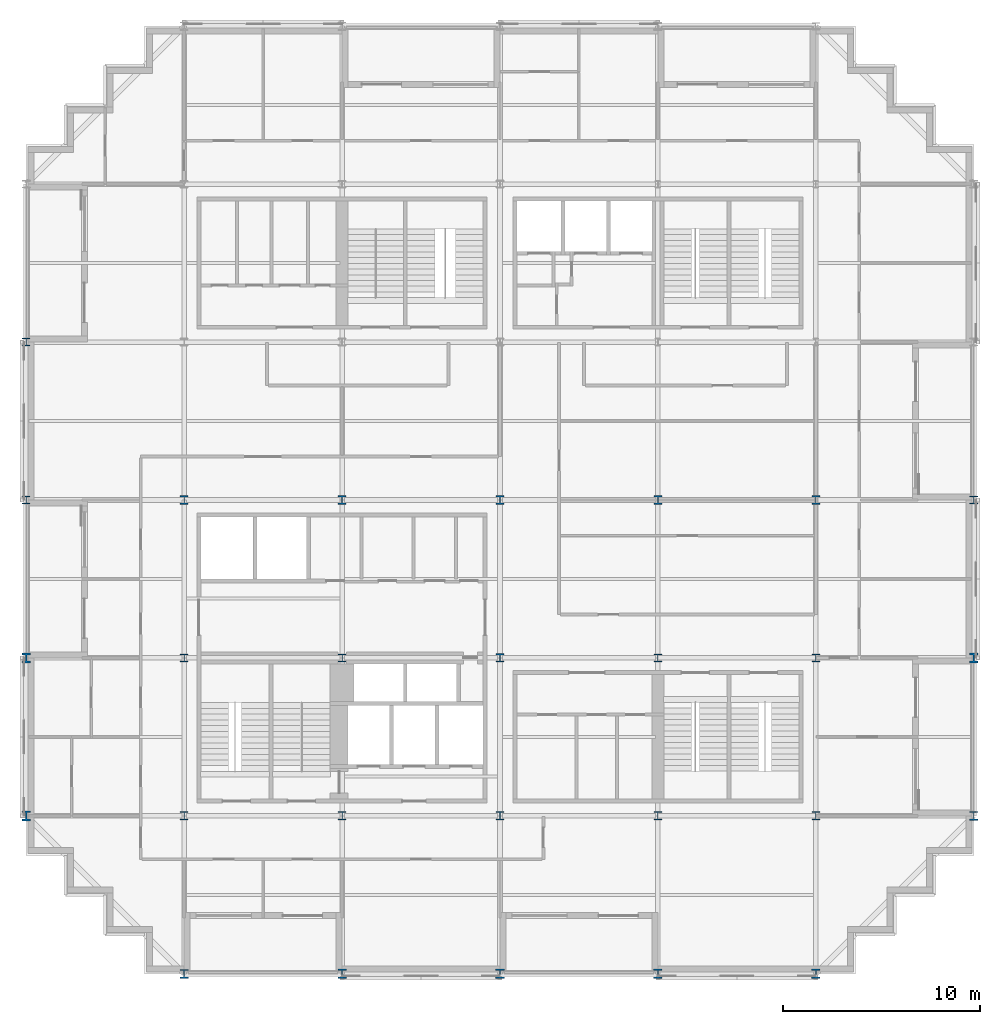
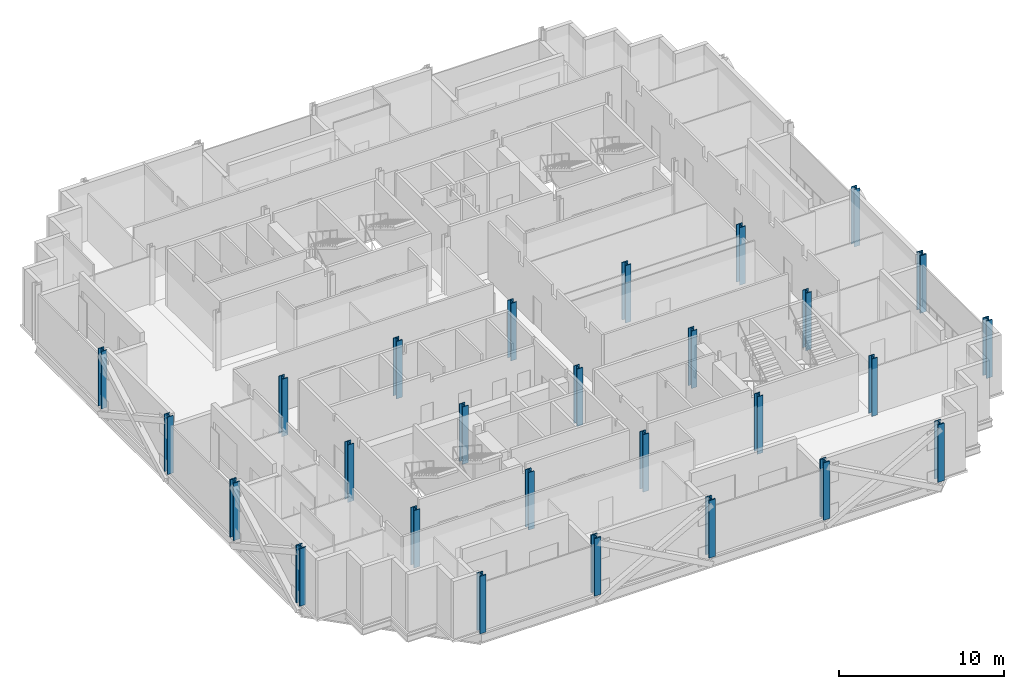
# One storey, part 1 of 14: 27 columns.
"""IFC4 building model written with IfcOpenShell, lengths in metres."""

import ifcopenshell
import ifcopenshell.guid

model = None  # the IFC model being written
_history = None  # IfcOwnerHistory: only IFC2X3 demands one
_inside = {}  # id of a spatial element -> (the spatial element, [elements in it])
_under = {}  # id of a project, library or spatial element -> (it, [spatial elements below it])
_declared = {}  # id of a project -> (the project, [libraries it declares])
_typed = {}  # id of a type object -> (the type object, [elements of that type])
_made_of = {}  # id of a material, layer set ... -> (it, [elements and type objects made of it])


def new_model(schema):
    """Start an empty IFC model of exactly this schema.

    Asked for "IFC4X3", IfcOpenShell would pick the latest addendum, in which some entities
    have other attributes; the version numbers below select the first issue.
    IFC2X3 requires an IfcOwnerHistory on every rooted entity: one is made here for all.
    """
    global model, _history
    if schema == "IFC4X3":
        model = ifcopenshell.file(schema_version=(4, 3, 0, 0))
    else:
        model = ifcopenshell.file(schema=schema)
    _inside.clear()
    _under.clear()
    _declared.clear()
    _typed.clear()
    _made_of.clear()
    _history = None
    if model.schema == "IFC2X3":
        org = make("IfcOrganization", Name="unknown")
        user = make(
            "IfcPersonAndOrganization",
            ThePerson=make("IfcPerson", FamilyName="unknown"),
            TheOrganization=org,
        )
        app = make(
            "IfcApplication",
            ApplicationDeveloper=org,
            Version="unknown",
            ApplicationFullName="unknown",
            ApplicationIdentifier="unknown",
        )
        _history = make(
            "IfcOwnerHistory",
            OwningUser=user,
            OwningApplication=app,
            ChangeAction="ADDED",
            CreationDate=0,
        )
    return model


def make(cls, **values):
    """One entity of the class cls with the attributes given. An attribute that is None is left unset."""
    return model.create_entity(
        cls, **{name: value for name, value in values.items() if value is not None}
    )


def rooted(cls, **values):
    """An entity with a GlobalId (a new one), such as an element, a storey or a relation."""
    return make(cls, GlobalId=ifcopenshell.guid.new(), OwnerHistory=_history, **values)


def si_unit(unit_type, name, prefix=None):
    """IfcSIUnit, for example si_unit("LENGTHUNIT", "METRE", prefix="MILLI")."""
    return make("IfcSIUnit", UnitType=unit_type, Prefix=prefix, Name=name)


def assignment(units):
    """IfcUnitAssignment: the units of a project."""
    return None if units is None else make("IfcUnitAssignment", Units=units)


def point(xyz):
    """IfcCartesianPoint."""
    return None if xyz is None else make("IfcCartesianPoint", Coordinates=xyz)


def direction(xyz):
    """IfcDirection."""
    return None if xyz is None else make("IfcDirection", DirectionRatios=xyz)


def frame(location, z_axis=None, x_axis=None):
    """IfcAxis2Placement3D, a coordinate frame: its origin and axes. An axis left out is left unset."""
    return make(
        "IfcAxis2Placement3D",
        Location=point(location),
        Axis=direction(z_axis),
        RefDirection=direction(x_axis),
    )


def frame_2d(location, x_axis=None):
    """IfcAxis2Placement2D, a coordinate frame in the plane: its origin and x axis."""
    return make(
        "IfcAxis2Placement2D", Location=point(location), RefDirection=direction(x_axis)
    )


def origin():
    """The frame at (0, 0, 0) with its axes left unset."""
    return frame((0.0, 0.0, 0.0))


def origin_2d():
    """The frame at (0, 0) in the plane with its x axis left unset."""
    return frame_2d((0.0, 0.0))


def place(relative_to, where):
    """IfcLocalPlacement: puts the frame where relative to a parent placement (None: the world)."""
    return make(
        "IfcLocalPlacement", PlacementRelTo=relative_to, RelativePlacement=where
    )


def context(
    kind, dimensions, precision=None, world=None, true_north=None, identifier=None
):
    """IfcGeometricRepresentationContext, for example the 3D "Model" context."""
    return make(
        "IfcGeometricRepresentationContext",
        ContextIdentifier=identifier,
        ContextType=kind,
        CoordinateSpaceDimension=dimensions,
        Precision=precision,
        WorldCoordinateSystem=world,
        TrueNorth=true_north,
    )


def subcontext(parent, identifier, kind, view, scale=None):
    """IfcGeometricRepresentationSubContext, for example "Body" below "Model"."""
    return make(
        "IfcGeometricRepresentationSubContext",
        ContextIdentifier=identifier,
        ContextType=kind,
        ParentContext=parent,
        TargetScale=scale,
        TargetView=view,
    )


def project(units=None, contexts=None):
    """IfcProject with its units and contexts."""
    return rooted(
        "IfcProject",
        Name="project",
        RepresentationContexts=contexts,
        UnitsInContext=assignment(units),
    )


def spatial(cls, under=None, at=None, **own):
    """A site, building, storey or space (cls), placed at a placement, below another one or the project."""
    s = rooted(cls, ObjectPlacement=at, **own)
    if under is not None:
        _under.setdefault(under.id(), (under, []))[1].append(s)
    return s


def profile(cls, at=None, kind="AREA", **sizes):
    """A parametric profile (cls). Its sizes go by their IFC names, for example OverallWidth=200.0."""
    return make(cls, ProfileType=kind, Position=at, **sizes)


def i_section(**sizes):
    """IfcIShapeProfileDef."""
    return profile("IfcIShapeProfileDef", **sizes)


def extrude(swept, where, along, depth):
    """IfcExtrudedAreaSolid: the profile swept, set in the frame where, extruded along a direction by depth."""
    return make(
        "IfcExtrudedAreaSolid",
        SweptArea=swept,
        Position=where,
        ExtrudedDirection=direction(along),
        Depth=depth,
    )


def shape(context_of_items, identifier, shape_type, items):
    """IfcShapeRepresentation: the items that make up one representation, for example the "Body"."""
    return make(
        "IfcShapeRepresentation",
        ContextOfItems=context_of_items,
        RepresentationIdentifier=identifier,
        RepresentationType=shape_type,
        Items=items,
    )


def material(Name=None, Category=None):
    """IfcMaterial."""
    return make("IfcMaterial", Name=Name, Category=Category)


def material_profile(
    of_material, cross_section, Name=None, Category=None, Priority=None
):
    """IfcMaterialProfile: a cross section and its material."""
    return make(
        "IfcMaterialProfile",
        Name=Name,
        Material=of_material,
        Profile=cross_section,
        Priority=Priority,
        Category=Category,
    )


def profile_set(profiles, Name=None, composite=None):
    """IfcMaterialProfileSet."""
    return make(
        "IfcMaterialProfileSet",
        Name=Name,
        MaterialProfiles=profiles,
        CompositeProfile=composite,
    )


def made_of(thing, what):
    """Note that an element or type object is made of a material, layer set ...; save() writes the relation."""
    if what is not None:
        _made_of.setdefault(what.id(), (what, []))[1].append(thing)
    return thing


def type_object(cls, material=None, **own):
    """A type object (cls), such as IfcWallType, which elements share."""
    return made_of(rooted(cls, **own), material)


def element(
    cls,
    number,
    at=None,
    inside=None,
    cuts=None,
    type_object=None,
    material=None,
    context=None,
    identifier="Body",
    shape_type=None,
    held_by="IfcProductDefinitionShape",
    body=None,
    shapes=None,
    **own,
):
    """One element of the class cls, such as IfcWall. Its Tag is "e" and its number.

    at: its placement. inside: the storey or other place that contains it. cuts: it is an
    opening in that element (IfcRelVoidsElement). A single representation is given by context,
    identifier, shape_type and body (its items); several are given by shapes. held_by: the class
    of the entity that holds the representations. save() writes the other relations.
    """
    e = rooted(cls, Tag="e%d" % number, ObjectPlacement=at, **own)
    if body is not None:
        shapes = [shape(context, identifier, shape_type, body)]
    if shapes is not None:
        e.Representation = make(held_by, Representations=shapes)
    if inside is not None:
        _inside.setdefault(inside.id(), (inside, []))[1].append(e)
    if cuts is not None:
        rooted(
            "IfcRelVoidsElement", RelatingBuildingElement=cuts, RelatedOpeningElement=e
        )
    if type_object is not None:
        _typed.setdefault(type_object.id(), (type_object, []))[1].append(e)
    return made_of(e, material)


def aggregate(whole, parts):
    """IfcRelAggregates: a whole, such as a stair, and the parts it consists of."""
    return rooted("IfcRelAggregates", RelatingObject=whole, RelatedObjects=parts)


def save(model, path):
    """Write the relations noted so far, then the file.

    IfcRelAggregates (storeys below a building ...), IfcRelContainedInSpatialStructure (elements
    in a storey), IfcRelDefinesByType, IfcRelAssociatesMaterial and IfcRelDeclares: one each for
    every whole, place, type object, material and project.
    """
    for whole, parts in _under.values():
        aggregate(whole, parts)
    for where, things in _inside.values():
        rooted(
            "IfcRelContainedInSpatialStructure",
            RelatedElements=things,
            RelatingStructure=where,
        )
    for kind, things in _typed.values():
        rooted("IfcRelDefinesByType", RelatedObjects=things, RelatingType=kind)
    for what, things in _made_of.values():
        rooted("IfcRelAssociatesMaterial", RelatedObjects=things, RelatingMaterial=what)
    for by, libraries in _declared.values():
        rooted("IfcRelDeclares", RelatingContext=by, RelatedDefinitions=libraries)
    model.write(path)


model = new_model("IFC4")

# Units and contexts
model_context = context("Model", 3, precision=1e-05, world=origin(), true_north=direction((0.0, 1.0)))
body_context = subcontext(model_context, "Body", "Model", "MODEL_VIEW")
ifc_project = project(units=[si_unit("LENGTHUNIT", "METRE"), si_unit("AREAUNIT", "SQUARE_METRE"), si_unit("VOLUMEUNIT", "CUBIC_METRE"), si_unit("PLANEANGLEUNIT", "RADIAN"), si_unit("MASSUNIT", "GRAM", prefix="KILO")], contexts=[model_context])

# Site, building, storey
site_placement = place(None, origin())
site = spatial("IfcSite", under=ifc_project, at=site_placement, CompositionType="ELEMENT")
building_placement = place(site_placement, origin())
building = spatial("IfcBuilding", under=site, at=building_placement, Name="Immortelle Media Tower", CompositionType="ELEMENT")
storey_placement = place(building_placement, frame((0.0, 0.0, 96.39990234375)))
storey = spatial("IfcBuildingStorey", under=building, at=storey_placement, Name="L18", CompositionType="ELEMENT", Elevation=96.39990234375)

# Columns
ifc_material = material(Name="Steel ASTM A992 Gr 50", Category="steel")
ifc_material_profile_1 = material_profile(ifc_material, i_section(OverallWidth=0.39892578125, OverallDepth=0.385986328125, WebThickness=0.02099609375, FlangeThickness=0.032958984375, at=origin_2d()), Name="W14x176")
ifc_profile_set_1 = profile_set([ifc_material_profile_1], Name="Steel ASTM A992 Gr 50")
column_type_1 = type_object("IfcColumnType", Name="W14x176 column", PredefinedType="COLUMN", material=ifc_profile_set_1)
column_placement = place(storey_placement, frame((48.0, 24.0, 0.0), z_axis=(0.0, 0.0, 1.0), x_axis=(1.0, 0.0, 0.0)))
element("IfcColumn", 1, at=column_placement, inside=storey, type_object=column_type_1, Name="Column 7/D", PredefinedType="COLUMN", context=body_context, shape_type="SweptSolid", body=[
    extrude(i_section(OverallWidth=0.39892578125, OverallDepth=0.385986328125, WebThickness=0.02099609375, FlangeThickness=0.032958984375, at=origin_2d()), origin(), (0.0, 0.0, 1.0), 4.25),
])
ifc_material_profile_2 = material_profile(ifc_material, i_section(OverallWidth=0.406005859375, OverallDepth=0.4169921875, WebThickness=0.030029296875, FlangeThickness=0.048095703125, at=origin_2d()), Name="W14x257")
ifc_profile_set_2 = profile_set([ifc_material_profile_2], Name="Steel ASTM A992 Gr 50")
column_type_2 = type_object("IfcColumnType", Name="W14x257 column", PredefinedType="COLUMN", material=ifc_profile_set_2)
for number, where, z_axis, x_axis, name in (
    (2, (0.0, 24.0, 0.0), (0.0, 0.0, 1.0), (1.0, 0.0, 0.0), "Column 1/D"),
    (3, (0.0, 32.0, 0.0), (0.0, 0.0, 1.0), (1.0, 0.0, 0.0), "Column 1/E"),
    (4, (8.0, 8.0, 0.0), (0.0, 0.0, 1.0), (1.0, 0.0, 0.0), "Column 2/B"),
    (5, (8.0, 16.0, 0.0), (0.0, 0.0, 1.0), (1.0, 0.0, 0.0), "Column 2/C"),
    (6, (16.0, 8.0, 0.0), (0.0, 0.0, 1.0), (1.0, 0.0, 0.0), "Column 3/B"),
    (7, (16.0, 16.0, 0.0), (0.0, 0.0, 1.0), (1.0, 0.0, 0.0), "Column 3/C"),
    (8, (32.0, 8.0, 0.0), (0.0, 0.0, 1.0), (1.0, 0.0, 0.0), "Column 5/B"),
    (9, (32.0, 16.0, 0.0), (0.0, 0.0, 1.0), (1.0, 0.0, 0.0), "Column 5/C"),
    (10, (40.0, 8.0, 0.0), (0.0, 0.0, 1.0), (1.0, 0.0, 0.0), "Column 6/B"),
    (11, (40.0, 16.0, 0.0), (0.0, 0.0, 1.0), (1.0, 0.0, 0.0), "Column 6/C"),
):
    element("IfcColumn", number, at=place(storey_placement, frame(where, z_axis=z_axis, x_axis=x_axis)), inside=storey, type_object=column_type_2, Name=name, PredefinedType="COLUMN", context=body_context, shape_type="SweptSolid", body=[
        extrude(i_section(OverallWidth=0.406005859375, OverallDepth=0.4169921875, WebThickness=0.030029296875, FlangeThickness=0.048095703125, at=origin_2d()), origin(), (0.0, 0.0, 1.0), 4.25),
    ])
ifc_material_profile_3 = material_profile(ifc_material, i_section(OverallWidth=0.410888671875, OverallDepth=0.43408203125, WebThickness=0.035888671875, FlangeThickness=0.056884765625, at=origin_2d()), Name="W14x311")
ifc_profile_set_3 = profile_set([ifc_material_profile_3], Name="Steel ASTM A992 Gr 50")
column_type_3 = type_object("IfcColumnType", Name="W14x311 column", PredefinedType="COLUMN", material=ifc_profile_set_3)
for number, where, z_axis, x_axis, name in (
    (12, (8.0, 24.0, 0.0), (0.0, 0.0, 1.0), (1.0, 0.0, 0.0), "Column 2/D"),
    (13, (16.0, 24.0, 0.0), (0.0, 0.0, 1.0), (1.0, 0.0, 0.0), "Column 3/D"),
    (14, (24.0, 8.0, 0.0), (0.0, 0.0, 1.0), (1.0, 0.0, 0.0), "Column 4/B"),
    (15, (24.0, 16.0, 0.0), (0.0, 0.0, 1.0), (1.0, 0.0, 0.0), "Column 4/C"),
    (16, (24.0, 24.0, 0.0), (0.0, 0.0, 1.0), (1.0, 0.0, 0.0), "Column 4/D"),
    (17, (32.0, 24.0, 0.0), (0.0, 0.0, 1.0), (1.0, 0.0, 0.0), "Column 5/D"),
    (18, (40.0, 24.0, 0.0), (0.0, 0.0, 1.0), (1.0, 0.0, 0.0), "Column 6/D"),
):
    element("IfcColumn", number, at=place(storey_placement, frame(where, z_axis=z_axis, x_axis=x_axis)), inside=storey, type_object=column_type_3, Name=name, PredefinedType="COLUMN", context=body_context, shape_type="SweptSolid", body=[
        extrude(i_section(OverallWidth=0.410888671875, OverallDepth=0.43408203125, WebThickness=0.035888671875, FlangeThickness=0.056884765625, at=origin_2d()), origin(), (0.0, 0.0, 1.0), 4.25),
    ])
ifc_material_profile_4 = material_profile(ifc_material, i_section(OverallWidth=0.4189453125, OverallDepth=0.455078125, WebThickness=0.0419921875, FlangeThickness=0.068115234375, at=origin_2d()), Name="W14x370")
ifc_profile_set_4 = profile_set([ifc_material_profile_4], Name="Steel ASTM A992 Gr 50")
column_type_4 = type_object("IfcColumnType", Name="W14x370 column", PredefinedType="COLUMN", material=ifc_profile_set_4)
for number, where, z_axis, x_axis, name in (
    (19, (8.0, 0.0, 0.0), (0.0, 0.0, 1.0), (1.0, 0.0, 0.0), "Column 2/A"),
    (20, (48.0, 8.0, 0.0), (0.0, 0.0, 1.0), (1.0, 0.0, 0.0), "Column 7/B"),
):
    element("IfcColumn", number, at=place(storey_placement, frame(where, z_axis=z_axis, x_axis=x_axis)), inside=storey, type_object=column_type_4, Name=name, PredefinedType="COLUMN", context=body_context, shape_type="SweptSolid", body=[
        extrude(i_section(OverallWidth=0.4189453125, OverallDepth=0.455078125, WebThickness=0.0419921875, FlangeThickness=0.068115234375, at=origin_2d()), origin(), (0.0, 0.0, 1.0), 4.25),
    ])
ifc_material_profile_5 = material_profile(ifc_material, i_section(OverallWidth=0.431884765625, OverallDepth=0.498046875, WebThickness=0.055908203125, FlangeThickness=0.089111328125, at=origin_2d()), Name="W14x500")
ifc_profile_set_5 = profile_set([ifc_material_profile_5], Name="Steel ASTM A992 Gr 50")
column_type_5 = type_object("IfcColumnType", Name="W14x500 column", PredefinedType="COLUMN", material=ifc_profile_set_5)
for number, where, z_axis, x_axis, name in (
    (21, (0.0, 8.0, 0.0), (0.0, 0.0, 1.0), (1.0, 0.0, 0.0), "Column 1/B"),
    (22, (0.0, 16.0, 0.0), (0.0, 0.0, 1.0), (1.0, 0.0, 0.0), "Column 1/C"),
    (23, (16.0, 0.0, 0.0), (0.0, 0.0, 1.0), (1.0, 0.0, 0.0), "Column 3/A"),
    (24, (24.0, 0.0, 0.0), (0.0, 0.0, 1.0), (1.0, 0.0, 0.0), "Column 4/A"),
    (25, (32.0, 0.0, 0.0), (0.0, 0.0, 1.0), (1.0, 0.0, 0.0), "Column 5/A"),
    (26, (40.0, 0.0, 0.0), (0.0, 0.0, 1.0), (1.0, 0.0, 0.0), "Column 6/A"),
    (27, (48.0, 16.0, 0.0), (0.0, 0.0, 1.0), (1.0, 0.0, 0.0), "Column 7/C"),
):
    element("IfcColumn", number, at=place(storey_placement, frame(where, z_axis=z_axis, x_axis=x_axis)), inside=storey, type_object=column_type_5, Name=name, PredefinedType="COLUMN", context=body_context, shape_type="SweptSolid", body=[
        extrude(i_section(OverallWidth=0.431884765625, OverallDepth=0.498046875, WebThickness=0.055908203125, FlangeThickness=0.089111328125, at=origin_2d()), origin(), (0.0, 0.0, 1.0), 4.25),
    ])

save(model, "model.ifc")
